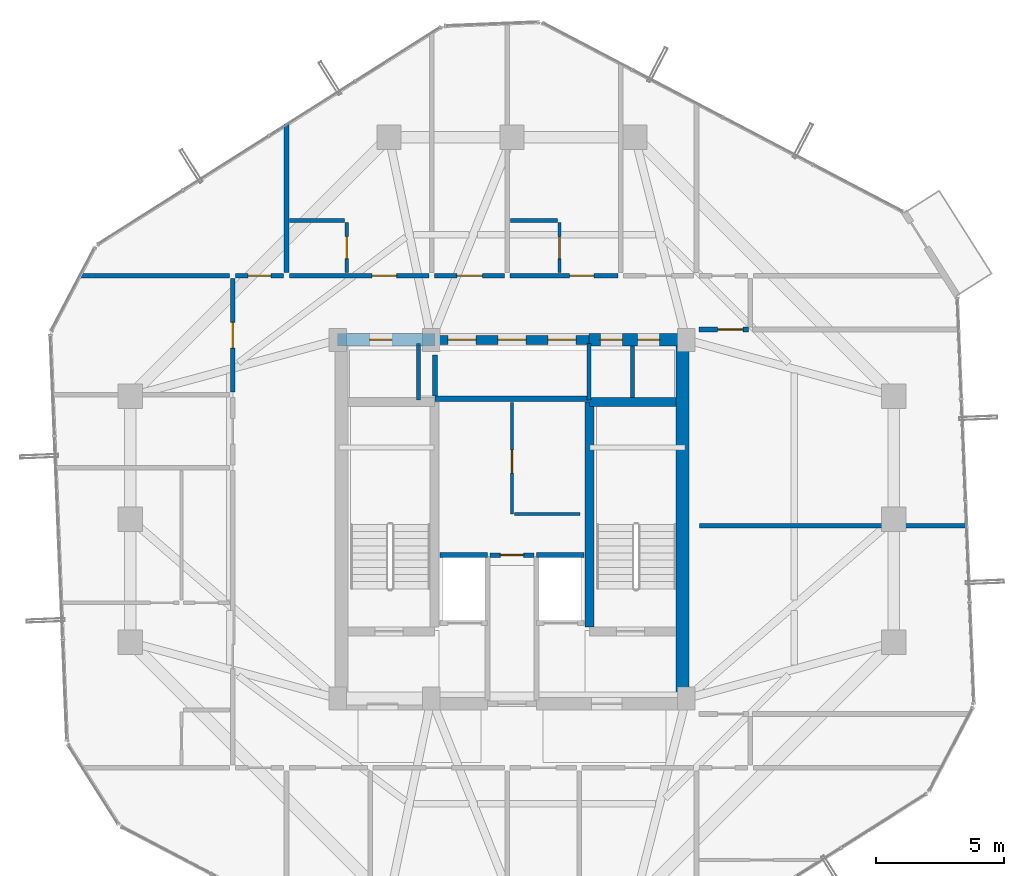
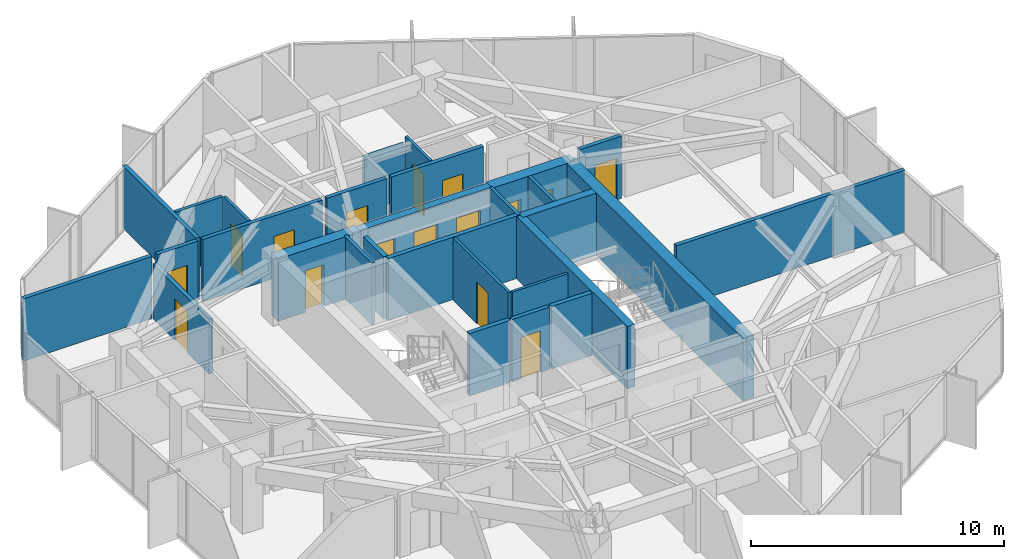
# One storey, part 30 of 33: 29 walls, 16 doors, 16 openings.
"""IFC4 building model written with IfcOpenShell, lengths in metres."""

from ifc_helpers import new_model, si_unit, direction, frame, frame_2d, origin, place, context, subcontext, project, spatial, rectangle, extrude, source, transform, mapped, material, layer, layer_set, type_object, element, fill, save


model = new_model("IFC4")

# Units and contexts
model_context = context("Model", 3, precision=1e-05, world=origin(), true_north=direction((0.0, 1.0)))
body_context = subcontext(model_context, "Body", "Model", "MODEL_VIEW")
ifc_project = project(units=[si_unit("LENGTHUNIT", "METRE"), si_unit("AREAUNIT", "SQUARE_METRE"), si_unit("VOLUMEUNIT", "CUBIC_METRE"), si_unit("PLANEANGLEUNIT", "RADIAN"), si_unit("MASSUNIT", "GRAM", prefix="KILO")], contexts=[model_context])

# Site, building, storey
site_placement = place(None, origin())
site = spatial("IfcSite", under=ifc_project, at=site_placement, CompositionType="ELEMENT")
building_placement = place(site_placement, origin())
building = spatial("IfcBuilding", under=site, at=building_placement, Name="Veraguas Prism Commons", CompositionType="ELEMENT")
storey_placement = place(building_placement, frame((0.0, 0.0, 198.35009765625)))
storey = spatial("IfcBuildingStorey", under=building, at=storey_placement, Name="L56", CompositionType="ELEMENT", Elevation=198.35009765625)

# Wall, openings, doors
ifc_material_1 = material(Name="Concrete C50/60", Category="concrete")
ifc_layer_1 = layer(ifc_material_1, 0.35009765625, Name="Core Internal Shear Wall Upper RC 350", Category="concrete")
ifc_layer_set_1 = layer_set([ifc_layer_1], Name="Concrete C50/60")
wall_type_1 = type_object("IfcWallType", Name="Core Internal Shear Wall Upper RC 350", PredefinedType="SHEAR", material=ifc_layer_set_1)
wall_1_placement = place(storey_placement, frame((21.0, 31.0, 0.0), z_axis=(0.0, 0.0, 1.0), x_axis=(1.0, 0.0, 0.0)))
wall_1 = element("IfcWall", 1, at=wall_1_placement, inside=storey, type_object=wall_type_1, Name="High-Rise Lift Bank Front Shear Wall L56", PredefinedType="SHEAR", context=body_context, shape_type="SweptSolid", body=[
    extrude(rectangle(XDim=6.0, YDim=0.35009765625, at=frame_2d((3.0, 0.0))), origin(), (0.0, 0.0, 1.0), 3.014892578125),
])
opening_1_placement = place(wall_1_placement, frame((0.5, 0.0, 0.0)))
opening_1 = element("IfcOpeningElement", 2, at=opening_1_placement, cuts=wall_1, Name="Opening LD-01", PredefinedType="OPENING", context=body_context, shape_type="SweptSolid", body=[
    extrude(rectangle(XDim=1.10009765625, YDim=2.080078125, at=frame_2d((0.550048828125, 1.0400390625))), frame((0.0, 0.18505859375, 0.0), z_axis=(0.0, -1.0, 0.0), x_axis=(1.0, 0.0, 0.0)), (0.0, 0.0, 1.0), 0.3701171875),
])
opening_2_placement = place(wall_1_placement, frame((2.449951171875, 0.0, 0.0)))
opening_2 = element("IfcOpeningElement", 3, at=opening_2_placement, cuts=wall_1, Name="Opening LD-01", PredefinedType="OPENING", context=body_context, shape_type="SweptSolid", body=[
    extrude(rectangle(XDim=1.10009765625, YDim=2.080078125, at=frame_2d((0.550048828125, 1.0400390625))), frame((0.0, 0.18505859375, 0.0), z_axis=(0.0, -1.0, 0.0), x_axis=(1.0, 0.0, 0.0)), (0.0, 0.0, 1.0), 0.3701171875),
])
opening_3_placement = place(wall_1_placement, frame((4.39990234375, 0.0, 0.0)))
opening_3 = element("IfcOpeningElement", 4, at=opening_3_placement, cuts=wall_1, Name="Opening LD-01", PredefinedType="OPENING", context=body_context, shape_type="SweptSolid", body=[
    extrude(rectangle(XDim=1.10009765625, YDim=2.080078125, at=frame_2d((0.550048828125, 1.0400390625))), frame((0.0, 0.18505859375, 0.0), z_axis=(0.0, -1.0, 0.0), x_axis=(1.0, 0.0, 0.0)), (0.0, 0.0, 1.0), 0.3701171875),
])
ifc_material_2 = material(Name="Stainless steel AISI 316", Category="steel")
door_type_1 = type_object("IfcDoorType", Name="Passenger Lift Sliding Landing Door 1100x2080", OperationType="NOTDEFINED", PredefinedType="DOOR", material=ifc_material_2)
shared_shape_1 = source(origin(), body_context, "Body", "SweptSolid", [
    extrude(rectangle(XDim=1.10009765625, YDim=2.080078125, at=frame_2d((0.550048828125, 1.0400390625))), frame((0.0, 0.02490234375, 0.0), z_axis=(0.0, -1.0, 0.0), x_axis=(1.0, 0.0, 0.0)), (0.0, 0.0, 1.0), 0.050048828125),
])
door_1_placement = place(opening_1_placement, origin())
door_1 = element("IfcDoor", 5, at=door_1_placement, inside=storey, type_object=door_type_1, Name="Sliding Landing Door PL-H1 L56", OperationType="SLIDING_TO_LEFT", OverallHeight=2.080078125, OverallWidth=1.10009765625, PredefinedType="DOOR", context=body_context, shape_type="MappedRepresentation", body=[
    mapped(shared_shape_1, transform((0.0, 0.0, 0.0), scale=1.0)),
])
fill(opening_1, door_1)
door_2_placement = place(opening_2_placement, origin())
door_2 = element("IfcDoor", 6, at=door_2_placement, inside=storey, type_object=door_type_1, Name="Sliding Landing Door PL-H2 L56", OperationType="SLIDING_TO_LEFT", OverallHeight=2.080078125, OverallWidth=1.10009765625, PredefinedType="DOOR", context=body_context, shape_type="MappedRepresentation", body=[
    mapped(shared_shape_1, transform((0.0, 0.0, 0.0), scale=1.0)),
])
fill(opening_2, door_2)
door_3_placement = place(opening_3_placement, origin())
door_3 = element("IfcDoor", 7, at=door_3_placement, inside=storey, type_object=door_type_1, Name="Sliding Landing Door PL-H3 L56", OperationType="SLIDING_TO_LEFT", OverallHeight=2.080078125, OverallWidth=1.10009765625, PredefinedType="DOOR", context=body_context, shape_type="MappedRepresentation", body=[
    mapped(shared_shape_1, transform((0.0, 0.0, 0.0), scale=1.0)),
])
fill(opening_3, door_3)

# Walls
wall_2_placement = place(storey_placement, frame((27.02490234375, 19.800048828125, 0.0), z_axis=(0.0, 0.0, 1.0), x_axis=(0.0, 1.0, 0.0)))
element("IfcWall", 8, at=wall_2_placement, inside=storey, type_object=wall_type_1, Name="Stair ST-02 Inner Shear Wall L56", PredefinedType="SHEAR", context=body_context, shape_type="SweptSolid", body=[
    extrude(rectangle(XDim=8.77490234375, YDim=0.35009765625, at=frame_2d((4.387451171875, 0.0))), origin(), (0.0, 0.0, 1.0), 3.014892578125),
])
wall_3_placement = place(storey_placement, frame((27.02490234375, 28.574951171875, 0.0), z_axis=(0.0, 0.0, 1.0), x_axis=(1.0, 0.0, 0.0)))
element("IfcWall", 9, at=wall_3_placement, inside=storey, type_object=wall_type_1, Name="Stair ST-02 North Shear Wall L56", PredefinedType="SHEAR", context=body_context, shape_type="SweptSolid", body=[
    extrude(rectangle(XDim=3.375, YDim=0.35009765625, at=frame_2d((1.6875, 0.0))), origin(), (0.0, 0.0, 1.0), 3.014892578125),
])
ifc_layer_2 = layer(ifc_material_1, 0.5, Name="Core Outer Shear Wall Upper RC 500", Category="concrete")
ifc_layer_set_2 = layer_set([ifc_layer_2], Name="Concrete C50/60")
wall_type_2 = type_object("IfcWallType", Name="Core Outer Shear Wall Upper RC 500", PredefinedType="SHEAR", material=ifc_layer_set_2)
wall_4_placement = place(storey_placement, frame((30.64990234375, 16.800048828125, 0.0), z_axis=(0.0, 0.0, 1.0), x_axis=(0.0, 1.0, 0.0)))
element("IfcWall", 10, at=wall_4_placement, inside=storey, type_object=wall_type_2, Name="Central Core East Shear Wall L56", PredefinedType="SHEAR", context=body_context, shape_type="SweptSolid", body=[
    extrude(rectangle(XDim=14.199951171875, YDim=0.5, at=frame_2d((7.10009765625, 0.0))), origin(), (0.0, 0.0, 1.0), 3.014892578125),
])

# Wall, opening, door
wall_5_placement = place(storey_placement, frame((17.199951171875, 31.0, 0.0), z_axis=(0.0, 0.0, 1.0), x_axis=(1.0, 0.0, 0.0)))
wall_5 = element("IfcWall", 11, at=wall_5_placement, inside=storey, type_object=wall_type_2, Name="Central Core North-West Shear Wall L56", PredefinedType="SHEAR", context=body_context, shape_type="SweptSolid", body=[
    extrude(rectangle(XDim=3.800048828125, YDim=0.5, at=frame_2d((1.89990234375, 0.0))), origin(), (0.0, 0.0, 1.0), 3.014892578125),
])
opening_4_placement = place(wall_5_placement, frame((1.25, 0.0, 0.0)))
opening_4 = element("IfcOpeningElement", 12, at=opening_4_placement, cuts=wall_5, Name="Opening DR-12", PredefinedType="OPENING", context=body_context, shape_type="SweptSolid", body=[
    extrude(rectangle(XDim=0.860107421875, YDim=2.010009765625, at=frame_2d((0.43017578125, 1.0048828125))), frame((0.0, 0.260009765625, 0.0), z_axis=(0.0, -1.0, 0.0), x_axis=(1.0, 0.0, 0.0)), (0.0, 0.0, 1.0), 0.52001953125),
])
ifc_material_3 = material(Name="Steel fire-rated door assembly", Category="steel")
door_type_2 = type_object("IfcDoorType", Name="Core WC Fire Door 860x2010", OperationType="NOTDEFINED", PredefinedType="DOOR", material=ifc_material_3)
shared_shape_2 = source(origin(), body_context, "Body", "SweptSolid", [
    extrude(rectangle(XDim=0.860107421875, YDim=2.010009765625, at=frame_2d((0.43017578125, 1.0048828125))), frame((0.0, 0.02490234375, 0.0), z_axis=(0.0, -1.0, 0.0), x_axis=(1.0, 0.0, 0.0)), (0.0, 0.0, 1.0), 0.050048828125),
])
door_4_placement = place(opening_4_placement, origin())
door_4 = element("IfcDoor", 13, at=door_4_placement, inside=storey, type_object=door_type_2, Name="Core NW Service Door L56", OperationType="SINGLE_SWING_LEFT", OverallHeight=2.010009765625, OverallWidth=0.860107421875, PredefinedType="DOOR", context=body_context, shape_type="MappedRepresentation", body=[
    mapped(shared_shape_2, transform((0.0, 0.0, 0.0), scale=1.0)),
])
fill(opening_4, door_4)

# Wall, openings, doors
wall_6_placement = place(storey_placement, frame((27.0, 31.0, 0.0), z_axis=(0.0, 0.0, 1.0), x_axis=(1.0, 0.0, 0.0)))
wall_6 = element("IfcWall", 14, at=wall_6_placement, inside=storey, type_object=wall_type_2, Name="Central Core North-East Shear Wall L56", PredefinedType="SHEAR", context=body_context, shape_type="SweptSolid", body=[
    extrude(rectangle(XDim=3.800048828125, YDim=0.5, at=frame_2d((1.89990234375, 0.0))), origin(), (0.0, 0.0, 1.0), 3.014892578125),
])
opening_5_placement = place(wall_6_placement, frame((0.449951171875, 0.0, 0.0)))
opening_5 = element("IfcOpeningElement", 15, at=opening_5_placement, cuts=wall_6, Name="Opening DR-12", PredefinedType="OPENING", context=body_context, shape_type="SweptSolid", body=[
    extrude(rectangle(XDim=0.860107421875, YDim=2.010009765625, at=frame_2d((0.43017578125, 1.0048828125))), frame((0.0, 0.260009765625, 0.0), z_axis=(0.0, -1.0, 0.0), x_axis=(1.0, 0.0, 0.0)), (0.0, 0.0, 1.0), 0.52001953125),
])
opening_6_placement = place(wall_6_placement, frame((1.89990234375, 0.0, 0.0)))
opening_6 = element("IfcOpeningElement", 16, at=opening_6_placement, cuts=wall_6, Name="Opening DR-12", PredefinedType="OPENING", context=body_context, shape_type="SweptSolid", body=[
    extrude(rectangle(XDim=0.860107421875, YDim=2.010009765625, at=frame_2d((0.43017578125, 1.0048828125))), frame((0.0, 0.260009765625, 0.0), z_axis=(0.0, -1.0, 0.0), x_axis=(1.0, 0.0, 0.0)), (0.0, 0.0, 1.0), 0.52001953125),
])
door_5_placement = place(opening_5_placement, origin())
door_5 = element("IfcDoor", 17, at=door_5_placement, inside=storey, type_object=door_type_2, Name="Core NE Room A Door L56", OperationType="SINGLE_SWING_RIGHT", OverallHeight=2.010009765625, OverallWidth=0.860107421875, PredefinedType="DOOR", context=body_context, shape_type="MappedRepresentation", body=[
    mapped(shared_shape_2, transform((0.0, 0.0, 0.0), scale=1.0)),
])
fill(opening_5, door_5)
door_6_placement = place(opening_6_placement, origin())
door_6 = element("IfcDoor", 18, at=door_6_placement, inside=storey, type_object=door_type_2, Name="Core NE Room B Door L56", OperationType="SINGLE_SWING_LEFT", OverallHeight=2.010009765625, OverallWidth=0.860107421875, PredefinedType="DOOR", context=body_context, shape_type="MappedRepresentation", body=[
    mapped(shared_shape_2, transform((0.0, 0.0, 0.0), scale=1.0)),
])
fill(opening_6, door_6)

# Wall, opening, door
ifc_material_4 = material(Name="Autoclaved aerated masonry block 10 MPa", Category="masonry")
ifc_layer_3 = layer(ifc_material_4, 0.179931640625, Name="Corridor and Inter-Tenancy Partition 180", Category="masonry")
ifc_layer_set_3 = layer_set([ifc_layer_3], Name="Autoclaved aerated masonry block 10 MPa")
wall_type_3 = type_object("IfcWallType", Name="Corridor and Inter-Tenancy Partition 180", PredefinedType="PARTITIONING", material=ifc_layer_set_3)
wall_7_placement = place(storey_placement, frame((23.14990234375, 22.60009765625, 0.0), z_axis=(0.0, 0.0, 1.0), x_axis=(1.0, 0.0, 0.0)))
wall_7 = element("IfcWall", 19, at=wall_7_placement, inside=storey, type_object=wall_type_3, Name="Core Suite Entry Wall L56", PredefinedType="PARTITIONING", context=body_context, shape_type="SweptSolid", body=[
    extrude(rectangle(XDim=1.7001953125, YDim=0.179931640625, at=frame_2d((0.85009765625, 0.0))), origin(), (0.0, 0.0, 1.0), 3.014892578125),
])
opening_7_placement = place(wall_7_placement, frame((0.39990234375, 0.0, 0.0)))
opening_7 = element("IfcOpeningElement", 20, at=opening_7_placement, cuts=wall_7, Name="Opening DR-14", PredefinedType="OPENING", context=body_context, shape_type="SweptSolid", body=[
    extrude(rectangle(XDim=0.89990234375, YDim=2.010009765625, at=frame_2d((0.449951171875, 1.0048828125))), frame((0.0, 0.099853515625, 0.0), z_axis=(0.0, -1.0, 0.0), x_axis=(1.0, 0.0, 0.0)), (0.0, 0.0, 1.0), 0.199951171875),
])
door_type_3 = type_object("IfcDoorType", Name="Core Service Room Fire Door 900x2010", OperationType="NOTDEFINED", PredefinedType="DOOR", material=ifc_material_3)
shared_shape_3 = source(origin(), body_context, "Body", "SweptSolid", [
    extrude(rectangle(XDim=0.89990234375, YDim=2.010009765625, at=frame_2d((0.449951171875, 1.0048828125))), frame((0.0, 0.02490234375, 0.0), z_axis=(0.0, -1.0, 0.0), x_axis=(1.0, 0.0, 0.0)), (0.0, 0.0, 1.0), 0.050048828125),
])
door_7_placement = place(opening_7_placement, origin())
door_7 = element("IfcDoor", 21, at=door_7_placement, inside=storey, type_object=door_type_3, Name="Core Suite Entry Door L56", OperationType="SINGLE_SWING_RIGHT", OverallHeight=2.010009765625, OverallWidth=0.89990234375, PredefinedType="DOOR", context=body_context, shape_type="MappedRepresentation", body=[
    mapped(shared_shape_3, transform((0.0, 0.0, 0.0), scale=1.0)),
])
fill(opening_7, door_7)

# Wall
wall_8_placement = place(storey_placement, frame((15.199951171875, 33.6201171875, 0.0), z_axis=(0.0, 0.0, 1.0), x_axis=(0.0, 1.0, 0.0)))
element("IfcWall", 22, at=wall_8_placement, inside=storey, type_object=wall_type_3, Name="WL-L56-PT010", PredefinedType="PARTITIONING", context=body_context, shape_type="SweptSolid", body=[
    extrude(rectangle(XDim=5.80517578125, YDim=0.179931640625, at=frame_2d((2.902587890625, 0.0))), origin(), (0.0, 0.0, 1.0), 3.014892578125),
])

# Wall, opening, door
wall_9_placement = place(storey_placement, frame((20.97998046875, 33.5, 0.0), z_axis=(0.0, 0.0, 1.0), x_axis=(1.0, 0.0, 0.0)))
wall_9 = element("IfcWall", 23, at=wall_9_placement, inside=storey, type_object=wall_type_3, Name="WL-L56-PT012", PredefinedType="PARTITIONING", context=body_context, shape_type="SweptSolid", body=[
    extrude(rectangle(XDim=2.72998046875, YDim=0.179931640625, at=frame_2d((1.364990234375, 0.0))), origin(), (0.0, 0.0, 1.0), 3.014892578125),
])
opening_8_placement = place(wall_9_placement, frame((0.864990234375, 0.0, 0.0)))
opening_8 = element("IfcOpeningElement", 24, at=opening_8_placement, cuts=wall_9, Name="Opening DR-13", PredefinedType="OPENING", context=body_context, shape_type="SweptSolid", body=[
    extrude(rectangle(XDim=1.0, YDim=2.010009765625, at=frame_2d((0.5, 1.0048828125))), frame((0.0, 0.099853515625, 0.0), z_axis=(0.0, -1.0, 0.0), x_axis=(1.0, 0.0, 0.0)), (0.0, 0.0, 1.0), 0.199951171875),
])
door_type_4 = type_object("IfcDoorType", Name="Core Accessible WC and Clinic Fire Door 1000x2010", OperationType="NOTDEFINED", PredefinedType="DOOR", material=ifc_material_3)
shared_shape_4 = source(origin(), body_context, "Body", "SweptSolid", [
    extrude(rectangle(XDim=1.0, YDim=2.010009765625, at=frame_2d((0.5, 1.0048828125))), frame((0.0, 0.02490234375, 0.0), z_axis=(0.0, -1.0, 0.0), x_axis=(1.0, 0.0, 0.0)), (0.0, 0.0, 1.0), 0.050048828125),
])
door_8_placement = place(opening_8_placement, origin())
door_8 = element("IfcDoor", 25, at=door_8_placement, inside=storey, type_object=door_type_4, Name="Quiet Study N Door", OperationType="SINGLE_SWING_RIGHT", OverallHeight=2.010009765625, OverallWidth=1.0, PredefinedType="DOOR", context=body_context, shape_type="MappedRepresentation", body=[
    mapped(shared_shape_4, transform((0.0, 0.0, 0.0), scale=1.0)),
])
fill(opening_8, door_8)

wall_10_placement = place(storey_placement, frame((15.31005859375, 33.5, 0.0), z_axis=(0.0, 0.0, 1.0), x_axis=(1.0, 0.0, 0.0)))
wall_10 = element("IfcWall", 26, at=wall_10_placement, inside=storey, type_object=wall_type_3, Name="WL-L56-PT014", PredefinedType="PARTITIONING", context=body_context, shape_type="SweptSolid", body=[
    extrude(rectangle(XDim=5.449951171875, YDim=0.179931640625, at=frame_2d((2.72509765625, 0.0))), origin(), (0.0, 0.0, 1.0), 3.014892578125),
])
opening_9_placement = place(wall_10_placement, frame((3.23388671875, 0.0, 0.0)))
opening_9 = element("IfcOpeningElement", 27, at=opening_9_placement, cuts=wall_10, Name="Opening DR-01", PredefinedType="OPENING", context=body_context, shape_type="SweptSolid", body=[
    extrude(rectangle(XDim=0.949951171875, YDim=2.02001953125, at=frame_2d((0.47509765625, 1.010009765625))), frame((0.0, 0.099853515625, 0.0), z_axis=(0.0, -1.0, 0.0), x_axis=(1.0, 0.0, 0.0)), (0.0, 0.0, 1.0), 0.199951171875),
])
ifc_material_5 = material(Name="Anodised aluminium EN AW-6063 T6", Category="aluminium")
door_type_5 = type_object("IfcDoorType", Name="Apartment Entrance Fire Door 950x2020", OperationType="NOTDEFINED", PredefinedType="DOOR", material=ifc_material_5)
shared_shape_5 = source(origin(), body_context, "Body", "SweptSolid", [
    extrude(rectangle(XDim=0.949951171875, YDim=2.02001953125, at=frame_2d((0.47509765625, 1.010009765625))), frame((0.0, 0.02490234375, 0.0), z_axis=(0.0, -1.0, 0.0), x_axis=(1.0, 0.0, 0.0)), (0.0, 0.0, 1.0), 0.050048828125),
])
door_9_placement = place(opening_9_placement, origin())
door_9 = element("IfcDoor", 28, at=door_9_placement, inside=storey, type_object=door_type_5, Name="Studio 56A Entrance Door", OperationType="SINGLE_SWING_LEFT", OverallHeight=2.02001953125, OverallWidth=0.949951171875, PredefinedType="DOOR", context=body_context, shape_type="MappedRepresentation", body=[
    mapped(shared_shape_5, transform((0.0, 0.0, 0.0), scale=1.0)),
])
fill(opening_9, door_9)

wall_11_placement = place(storey_placement, frame((23.929931640625, 33.5, 0.0), z_axis=(0.0, 0.0, 1.0), x_axis=(1.0, 0.0, 0.0)))
wall_11 = element("IfcWall", 29, at=wall_11_placement, inside=storey, type_object=wall_type_3, Name="WL-L56-PT020", PredefinedType="PARTITIONING", context=body_context, shape_type="SweptSolid", body=[
    extrude(rectangle(XDim=4.2099609375, YDim=0.179931640625, at=frame_2d((2.10498046875, 0.0))), origin(), (0.0, 0.0, 1.0), 3.014892578125),
])
opening_10_placement = place(wall_11_placement, frame((2.31640625, 0.0, 0.0)))
opening_10 = element("IfcOpeningElement", 30, at=opening_10_placement, cuts=wall_11, Name="Opening DR-01", PredefinedType="OPENING", context=body_context, shape_type="SweptSolid", body=[
    extrude(rectangle(XDim=0.949951171875, YDim=2.02001953125, at=frame_2d((0.47509765625, 1.010009765625))), frame((0.0, 0.099853515625, 0.0), z_axis=(0.0, -1.0, 0.0), x_axis=(1.0, 0.0, 0.0)), (0.0, 0.0, 1.0), 0.199951171875),
])
door_10_placement = place(opening_10_placement, origin())
door_10 = element("IfcDoor", 31, at=door_10_placement, inside=storey, type_object=door_type_5, Name="Studio 56B Entrance Door", OperationType="SINGLE_SWING_RIGHT", OverallHeight=2.02001953125, OverallWidth=0.949951171875, PredefinedType="DOOR", context=body_context, shape_type="MappedRepresentation", body=[
    mapped(shared_shape_5, transform((0.0, 0.0, 0.0), scale=1.0)),
])
fill(opening_10, door_10)

# Wall
wall_12_placement = place(storey_placement, frame((12.97998046875, 33.5, 0.0), z_axis=(0.0, 0.0, 1.0), x_axis=(-1.0, 0.0, 0.0)))
element("IfcWall", 32, at=wall_12_placement, inside=storey, type_object=wall_type_3, Name="WL-L56-PT024", PredefinedType="PARTITIONING", context=body_context, shape_type="SweptSolid", body=[
    extrude(rectangle(XDim=5.87353515625, YDim=0.179931640625, at=frame_2d((2.936767578125, 0.0))), origin(), (0.0, 0.0, 1.0), 3.014892578125),
])

# Wall, opening, door
wall_13_placement = place(storey_placement, frame((13.10009765625, 28.9619140625, 0.0), z_axis=(0.0, 0.0, 1.0), x_axis=(0.0, 1.0, 0.0)))
wall_13 = element("IfcWall", 33, at=wall_13_placement, inside=storey, type_object=wall_type_3, Name="WL-L56-PT033", PredefinedType="PARTITIONING", context=body_context, shape_type="SweptSolid", body=[
    extrude(rectangle(XDim=4.427978515625, YDim=0.179931640625, at=frame_2d((2.2138671875, 0.0))), origin(), (0.0, 0.0, 1.0), 2.661865234375),
])
opening_11_placement = place(wall_13_placement, frame((1.714111328125, 0.0, 0.0)))
opening_11 = element("IfcOpeningElement", 34, at=opening_11_placement, cuts=wall_13, Name="Opening DR-13", PredefinedType="OPENING", context=body_context, shape_type="SweptSolid", body=[
    extrude(rectangle(XDim=1.0, YDim=2.010009765625, at=frame_2d((0.5, 1.0048828125))), frame((0.0, 0.099853515625, 0.0), z_axis=(0.0, -1.0, 0.0), x_axis=(1.0, 0.0, 0.0)), (0.0, 0.0, 1.0), 0.199951171875),
])
door_11_placement = place(opening_11_placement, origin())
door_11 = element("IfcDoor", 35, at=door_11_placement, inside=storey, type_object=door_type_4, Name="Co-op Store W Door", OperationType="SINGLE_SWING_LEFT", OverallHeight=2.010009765625, OverallWidth=1.0, PredefinedType="DOOR", context=body_context, shape_type="MappedRepresentation", body=[
    mapped(shared_shape_4, transform((0.0, 0.0, 0.0), scale=1.0)),
])
fill(opening_11, door_11)

# Wall
wall_14_placement = place(storey_placement, frame((31.320068359375, 23.75, 0.0), z_axis=(0.0, 0.0, 1.0), x_axis=(1.0, 0.0, 0.0)))
element("IfcWall", 36, at=wall_14_placement, inside=storey, type_object=wall_type_3, Name="WL-L56-PT035", PredefinedType="PARTITIONING", context=body_context, shape_type="SweptSolid", body=[
    extrude(rectangle(XDim=10.445068359375, YDim=0.179931640625, at=frame_2d((5.22265625, 0.0))), origin(), (0.0, 0.0, 1.0), 3.014892578125),
])

# Wall, opening, door
wall_15_placement = place(storey_placement, frame((31.300048828125, 31.39990234375, 0.0), z_axis=(0.0, 0.0, 1.0), x_axis=(1.0, 0.0, 0.0)))
wall_15 = element("IfcWall", 37, at=wall_15_placement, inside=storey, type_object=wall_type_3, Name="WL-L56-PT040", PredefinedType="PARTITIONING", context=body_context, shape_type="SweptSolid", body=[
    extrude(rectangle(XDim=1.919921875, YDim=0.179931640625, at=frame_2d((0.9599609375, 0.0))), origin(), (0.0, 0.0, 1.0), 3.014892578125),
])
opening_12_placement = place(wall_15_placement, frame((0.719970703125, 0.0, 0.0)))
opening_12 = element("IfcOpeningElement", 38, at=opening_12_placement, cuts=wall_15, Name="Opening DR-13", PredefinedType="OPENING", context=body_context, shape_type="SweptSolid", body=[
    extrude(rectangle(XDim=1.0, YDim=2.010009765625, at=frame_2d((0.5, 1.0048828125))), frame((0.0, 0.099853515625, 0.0), z_axis=(0.0, -1.0, 0.0), x_axis=(1.0, 0.0, 0.0)), (0.0, 0.0, 1.0), 0.199951171875),
])
door_12_placement = place(opening_12_placement, origin())
door_12 = element("IfcDoor", 39, at=door_12_placement, inside=storey, type_object=door_type_4, Name="Study Salon Door L56", OperationType="SINGLE_SWING_LEFT", OverallHeight=2.010009765625, OverallWidth=1.0, PredefinedType="DOOR", context=body_context, shape_type="MappedRepresentation", body=[
    mapped(shared_shape_4, transform((0.0, 0.0, 0.0), scale=1.0)),
])
fill(opening_12, door_12)

wall_16_placement = place(storey_placement, frame((13.219970703125, 33.5, 0.0), z_axis=(0.0, 0.0, 1.0), x_axis=(1.0, 0.0, 0.0)))
wall_16 = element("IfcWall", 40, at=wall_16_placement, inside=storey, type_object=wall_type_3, Name="WL-L56-PT046", PredefinedType="PARTITIONING", context=body_context, shape_type="SweptSolid", body=[
    extrude(rectangle(XDim=1.860107421875, YDim=0.179931640625, at=frame_2d((0.93017578125, 0.0))), origin(), (0.0, 0.0, 1.0), 3.014892578125),
])
opening_13_placement = place(wall_16_placement, frame((0.47998046875, 0.0, 0.0)))
opening_13 = element("IfcOpeningElement", 41, at=opening_13_placement, cuts=wall_16, Name="Opening DR-14", PredefinedType="OPENING", context=body_context, shape_type="SweptSolid", body=[
    extrude(rectangle(XDim=0.89990234375, YDim=2.010009765625, at=frame_2d((0.449951171875, 1.0048828125))), frame((0.0, 0.099853515625, 0.0), z_axis=(0.0, -1.0, 0.0), x_axis=(1.0, 0.0, 0.0)), (0.0, 0.0, 1.0), 0.199951171875),
])
door_13_placement = place(opening_13_placement, origin())
door_13 = element("IfcDoor", 42, at=door_13_placement, inside=storey, type_object=door_type_3, Name="Residents Cycle and Pram Store NW Door", OperationType="SINGLE_SWING_LEFT", OverallHeight=2.010009765625, OverallWidth=0.89990234375, PredefinedType="DOOR", context=body_context, shape_type="MappedRepresentation", body=[
    mapped(shared_shape_3, transform((0.0, 0.0, 0.0), scale=1.0)),
])
fill(opening_13, door_13)

# Wall
ifc_material_6 = material(Name="Lightweight acoustic gypsum board")
ifc_layer_4 = layer(ifc_material_6, 0.125, Name="Internal Apartment Room Partition 125")
ifc_layer_set_4 = layer_set([ifc_layer_4], Name="Lightweight acoustic gypsum board")
wall_type_4 = type_object("IfcWallType", Name="Internal Apartment Room Partition 125", PredefinedType="PARTITIONING", material=ifc_layer_set_4)
wall_17_placement = place(storey_placement, frame((24.10009765625, 24.199951171875, 0.0), z_axis=(0.0, 0.0, 1.0), x_axis=(1.0, 0.0, 0.0)))
element("IfcWall", 43, at=wall_17_placement, inside=storey, type_object=wall_type_4, Name="Telehealth Pod South Wall L56", PredefinedType="PARTITIONING", context=body_context, shape_type="SweptSolid", body=[
    extrude(rectangle(XDim=2.5498046875, YDim=0.125, at=frame_2d((1.27490234375, 0.0))), origin(), (0.0, 0.0, 1.0), 3.014892578125),
])

# Wall, opening, door
wall_18_placement = place(storey_placement, frame((24.0, 24.199951171875, 0.0), z_axis=(0.0, 0.0, 1.0), x_axis=(0.0, 1.0, 0.0)))
wall_18 = element("IfcWall", 44, at=wall_18_placement, inside=storey, type_object=wall_type_4, Name="Telehealth Pod West Wall L56", PredefinedType="PARTITIONING", context=body_context, shape_type="SweptSolid", body=[
    extrude(rectangle(XDim=4.35009765625, YDim=0.125, at=frame_2d((2.175048828125, 0.0))), origin(), (0.0, 0.0, 1.0), 3.014892578125),
])
opening_14_placement = place(wall_18_placement, frame((1.60009765625, 0.0, 0.0)))
opening_14 = element("IfcOpeningElement", 45, at=opening_14_placement, cuts=wall_18, Name="Opening DR-02", PredefinedType="OPENING", context=body_context, shape_type="SweptSolid", body=[
    extrude(rectangle(XDim=0.89990234375, YDim=2.010009765625, at=frame_2d((0.449951171875, 1.0048828125))), frame((0.0, 0.072509765625, 0.0), z_axis=(0.0, -1.0, 0.0), x_axis=(1.0, 0.0, 0.0)), (0.0, 0.0, 1.0), 0.14501953125),
])
ifc_material_7 = material(Name="Timber solid core hardwood", Category="wood")
door_type_6 = type_object("IfcDoorType", Name="Internal Habitable Room Door 900x2010", OperationType="NOTDEFINED", PredefinedType="DOOR", material=ifc_material_7)
door_14_placement = place(opening_14_placement, origin())
door_14 = element("IfcDoor", 46, at=door_14_placement, inside=storey, type_object=door_type_6, Name="Telehealth Pod Door L56", OperationType="SINGLE_SWING_LEFT", OverallHeight=2.010009765625, OverallWidth=0.89990234375, PredefinedType="DOOR", context=body_context, shape_type="MappedRepresentation", body=[
    mapped(shared_shape_3, transform((0.0, 0.0, 0.0), scale=1.0)),
])
fill(opening_14, door_14)

wall_19_placement = place(storey_placement, frame((17.550048828125, 33.6201171875, 0.0), z_axis=(0.0, 0.0, 1.0), x_axis=(0.0, 1.0, 0.0)))
wall_19 = element("IfcWall", 47, at=wall_19_placement, inside=storey, type_object=wall_type_4, Name="WL-L56-PT015", PredefinedType="PARTITIONING", context=body_context, shape_type="SweptSolid", body=[
    extrude(rectangle(XDim=1.949951171875, YDim=0.125, at=frame_2d((0.97509765625, 0.0))), origin(), (0.0, 0.0, 1.0), 3.014892578125),
])
opening_15_placement = place(wall_19_placement, frame((0.544921875, 0.0, 0.0)))
opening_15 = element("IfcOpeningElement", 48, at=opening_15_placement, cuts=wall_19, Name="Opening DR-03", PredefinedType="OPENING", context=body_context, shape_type="SweptSolid", body=[
    extrude(rectangle(XDim=0.860107421875, YDim=2.010009765625, at=frame_2d((0.43017578125, 1.0048828125))), frame((0.0, 0.072509765625, 0.0), z_axis=(0.0, -1.0, 0.0), x_axis=(1.0, 0.0, 0.0)), (0.0, 0.0, 1.0), 0.14501953125),
])
ifc_material_8 = material(Name="Timber moisture-resistant leaf", Category="wood")
door_type_7 = type_object("IfcDoorType", Name="Internal Bathroom Door 860x2010", OperationType="NOTDEFINED", PredefinedType="DOOR", material=ifc_material_8)
door_15_placement = place(opening_15_placement, origin())
door_15 = element("IfcDoor", 49, at=door_15_placement, inside=storey, type_object=door_type_7, Name="Studio 56A Bathroom Door", OperationType="SINGLE_SWING_RIGHT", OverallHeight=2.010009765625, OverallWidth=0.860107421875, PredefinedType="DOOR", context=body_context, shape_type="MappedRepresentation", body=[
    mapped(shared_shape_2, transform((0.0, 0.0, 0.0), scale=1.0)),
])
fill(opening_15, door_15)

wall_20_placement = place(storey_placement, frame((25.85791015625, 33.6201171875, 0.0), z_axis=(0.0, 0.0, 1.0), x_axis=(0.0, 1.0, 0.0)))
wall_20 = element("IfcWall", 50, at=wall_20_placement, inside=storey, type_object=wall_type_4, Name="WL-L56-PT021", PredefinedType="PARTITIONING", context=body_context, shape_type="SweptSolid", body=[
    extrude(rectangle(XDim=1.949951171875, YDim=0.125, at=frame_2d((0.97509765625, 0.0))), origin(), (0.0, 0.0, 1.0), 3.014892578125),
])
opening_16_placement = place(wall_20_placement, frame((0.544921875, 0.0, 0.0)))
opening_16 = element("IfcOpeningElement", 51, at=opening_16_placement, cuts=wall_20, Name="Opening DR-03", PredefinedType="OPENING", context=body_context, shape_type="SweptSolid", body=[
    extrude(rectangle(XDim=0.860107421875, YDim=2.010009765625, at=frame_2d((0.43017578125, 1.0048828125))), frame((0.0, 0.072509765625, 0.0), z_axis=(0.0, -1.0, 0.0), x_axis=(1.0, 0.0, 0.0)), (0.0, 0.0, 1.0), 0.14501953125),
])
door_16_placement = place(opening_16_placement, origin())
door_16 = element("IfcDoor", 52, at=door_16_placement, inside=storey, type_object=door_type_7, Name="Studio 56B Bathroom Door", OperationType="SINGLE_SWING_LEFT", OverallHeight=2.010009765625, OverallWidth=0.860107421875, PredefinedType="DOOR", context=body_context, shape_type="MappedRepresentation", body=[
    mapped(shared_shape_2, transform((0.0, 0.0, 0.0), scale=1.0)),
])
fill(opening_16, door_16)

# Walls
ifc_layer_5 = layer(ifc_material_4, 0.199951171875, Name="Rated Shaft and Lobby Block Wall 200", Category="masonry")
ifc_layer_set_5 = layer_set([ifc_layer_5], Name="Autoclaved aerated masonry block 10 MPa")
wall_type_5 = type_object("IfcWallType", Name="Rated Shaft and Lobby Block Wall 200", PredefinedType="SOLIDWALL", material=ifc_layer_set_5)
for number, where, z_axis, x_axis, name in (
    (53, (21.199951171875, 22.60009765625, 0.0), (0.0, 0.0, 1.0), (1.0, 0.0, 0.0), "Firefighting Lift FFL-1 Rear Wall L56"),
    (54, (24.949951171875, 22.60009765625, 0.0), (0.0, 0.0, 1.0), (1.0, 0.0, 0.0), "Firefighting Lift FFL-2 Rear Wall L56"),
):
    element("IfcWall", number, at=place(storey_placement, frame(where, z_axis=z_axis, x_axis=x_axis)), inside=storey, type_object=wall_type_5, Name=name, PredefinedType="SOLIDWALL", context=body_context, shape_type="SweptSolid", body=[
        extrude(rectangle(XDim=1.85009765625, YDim=0.199951171875, at=frame_2d((0.925048828125, 0.0))), origin(), (0.0, 0.0, 1.0), 3.014892578125),
    ])
wall_21_placement = place(storey_placement, frame((21.0, 28.699951171875, 0.0), z_axis=(0.0, 0.0, 1.0), x_axis=(1.0, 0.0, 0.0)))
element("IfcWall", 55, at=wall_21_placement, inside=storey, type_object=wall_type_5, Name="High-Rise Lift Bank Rear Shaft Wall L56", PredefinedType="SOLIDWALL", context=body_context, shape_type="SweptSolid", body=[
    extrude(rectangle(XDim=6.0, YDim=0.199951171875, at=frame_2d((3.0, 0.0))), origin(), (0.0, 0.0, 1.0), 3.014892578125),
])
wall_22_placement = place(storey_placement, frame((21.0, 28.800048828125, 0.0), z_axis=(0.0, 0.0, 1.0), x_axis=(0.0, 1.0, 0.0)))
element("IfcWall", 56, at=wall_22_placement, inside=storey, type_object=wall_type_5, Name="High-Rise Lift Bank West Shaft Wall L56", PredefinedType="SOLIDWALL", context=body_context, shape_type="SweptSolid", body=[
    extrude(rectangle(XDim=1.599853515625, YDim=0.199951171875, at=frame_2d((0.7998046875, 0.0))), origin(), (0.0, 0.0, 1.0), 3.014892578125),
])
ifc_layer_6 = layer(ifc_material_6, 0.14990234375, Name="Wet Room and Clinic Acoustic Partition 150")
ifc_layer_set_6 = layer_set([ifc_layer_6], Name="Lightweight acoustic gypsum board")
wall_type_6 = type_object("IfcWallType", Name="Wet Room and Clinic Acoustic Partition 150", PredefinedType="PARTITIONING", material=ifc_layer_set_6)
for number, where, z_axis, x_axis, name in (
    (57, (20.35009765625, 28.64990234375, 0.0), (0.0, 0.0, 1.0), (0.0, 1.0, 0.0), "Core NW Service Inner Wall L56"),
    (58, (27.0, 28.64990234375, 0.0), (0.0, 0.0, 1.0), (0.0, 1.0, 0.0), "Core NE Service Inner Wall L56"),
):
    element("IfcWall", number, at=place(storey_placement, frame(where, z_axis=z_axis, x_axis=x_axis)), inside=storey, type_object=wall_type_6, Name=name, PredefinedType="PARTITIONING", context=body_context, shape_type="SweptSolid", body=[
        extrude(rectangle(XDim=2.2001953125, YDim=0.14990234375, at=frame_2d((1.10009765625, 0.0))), origin(), (0.0, 0.0, 1.0), 3.014892578125),
    ])
wall_23_placement = place(storey_placement, frame((28.699951171875, 28.75, 0.0), z_axis=(0.0, 0.0, 1.0), x_axis=(0.0, 1.0, 0.0)))
element("IfcWall", 59, at=wall_23_placement, inside=storey, type_object=wall_type_6, Name="WL-L56-CSVD1", PredefinedType="PARTITIONING", context=body_context, shape_type="SweptSolid", body=[
    extrude(rectangle(XDim=2.0, YDim=0.14990234375, at=frame_2d((1.0, 0.0))), origin(), (0.0, 0.0, 1.0), 3.014892578125),
])
wall_24_placement = place(storey_placement, frame((15.320068359375, 35.64990234375, 0.0), z_axis=(0.0, 0.0, 1.0), x_axis=(1.0, 0.0, 0.0)))
element("IfcWall", 60, at=wall_24_placement, inside=storey, type_object=wall_type_6, Name="WL-L56-PT016", PredefinedType="PARTITIONING", context=body_context, shape_type="SweptSolid", body=[
    extrude(rectangle(XDim=2.14990234375, YDim=0.14990234375, at=frame_2d((1.074951171875, 0.0))), origin(), (0.0, 0.0, 1.0), 3.014892578125),
])
wall_25_placement = place(storey_placement, frame((23.93994140625, 35.64990234375, 0.0), z_axis=(0.0, 0.0, 1.0), x_axis=(1.0, 0.0, 0.0)))
element("IfcWall", 61, at=wall_25_placement, inside=storey, type_object=wall_type_6, Name="WL-L56-PT022", PredefinedType="PARTITIONING", context=body_context, shape_type="SweptSolid", body=[
    extrude(rectangle(XDim=1.838134765625, YDim=0.14990234375, at=frame_2d((0.9189453125, 0.0))), origin(), (0.0, 0.0, 1.0), 2.661865234375),
])

save(model, "model.ifc")
